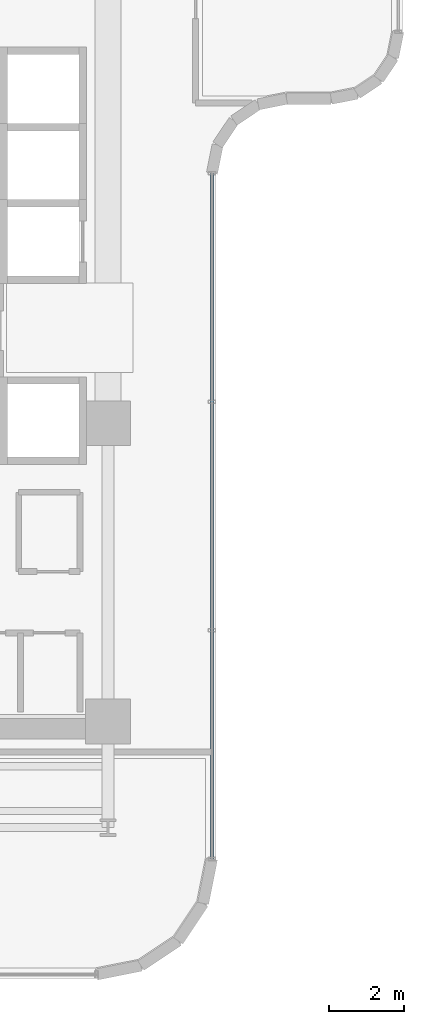
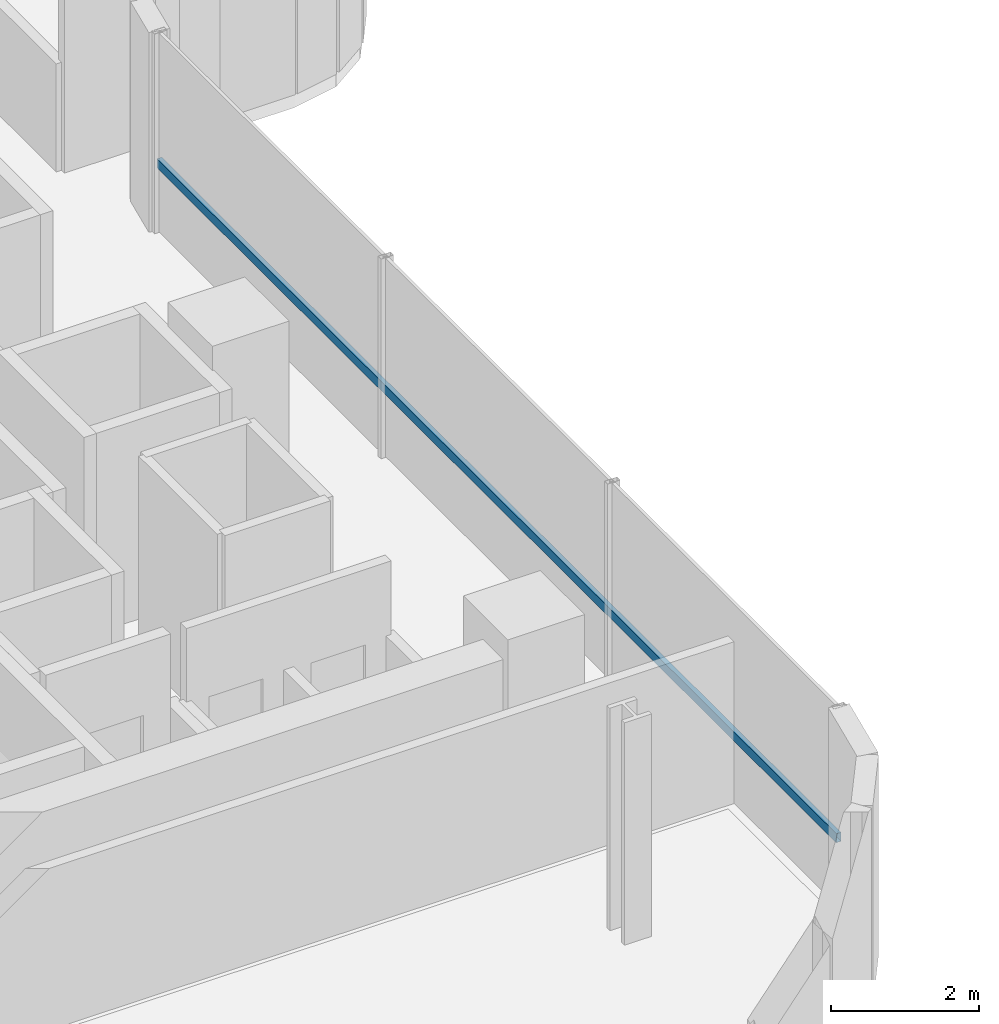
# One storey, part 6 of 35: 1 member, 1 element without a shape of its own.
"""IFC4 building model written with IfcOpenShell, lengths in metres."""

import ifcopenshell
import ifcopenshell.guid

model = None  # the IFC model being written
_history = None  # IfcOwnerHistory: only IFC2X3 demands one
_inside = {}  # id of a spatial element -> (the spatial element, [elements in it])
_under = {}  # id of a project, library or spatial element -> (it, [spatial elements below it])
_declared = {}  # id of a project -> (the project, [libraries it declares])
_typed = {}  # id of a type object -> (the type object, [elements of that type])
_made_of = {}  # id of a material, layer set ... -> (it, [elements and type objects made of it])


def new_model(schema):
    """Start an empty IFC model of exactly this schema.

    Asked for "IFC4X3", IfcOpenShell would pick the latest addendum, in which some entities
    have other attributes; the version numbers below select the first issue.
    IFC2X3 requires an IfcOwnerHistory on every rooted entity: one is made here for all.
    """
    global model, _history
    if schema == "IFC4X3":
        model = ifcopenshell.file(schema_version=(4, 3, 0, 0))
    else:
        model = ifcopenshell.file(schema=schema)
    _inside.clear()
    _under.clear()
    _declared.clear()
    _typed.clear()
    _made_of.clear()
    _history = None
    if model.schema == "IFC2X3":
        org = make("IfcOrganization", Name="unknown")
        user = make(
            "IfcPersonAndOrganization",
            ThePerson=make("IfcPerson", FamilyName="unknown"),
            TheOrganization=org,
        )
        app = make(
            "IfcApplication",
            ApplicationDeveloper=org,
            Version="unknown",
            ApplicationFullName="unknown",
            ApplicationIdentifier="unknown",
        )
        _history = make(
            "IfcOwnerHistory",
            OwningUser=user,
            OwningApplication=app,
            ChangeAction="ADDED",
            CreationDate=0,
        )
    return model


def make(cls, **values):
    """One entity of the class cls with the attributes given. An attribute that is None is left unset."""
    return model.create_entity(
        cls, **{name: value for name, value in values.items() if value is not None}
    )


def rooted(cls, **values):
    """An entity with a GlobalId (a new one), such as an element, a storey or a relation."""
    return make(cls, GlobalId=ifcopenshell.guid.new(), OwnerHistory=_history, **values)


def si_unit(unit_type, name, prefix=None):
    """IfcSIUnit, for example si_unit("LENGTHUNIT", "METRE", prefix="MILLI")."""
    return make("IfcSIUnit", UnitType=unit_type, Prefix=prefix, Name=name)


def assignment(units):
    """IfcUnitAssignment: the units of a project."""
    return None if units is None else make("IfcUnitAssignment", Units=units)


def point(xyz):
    """IfcCartesianPoint."""
    return None if xyz is None else make("IfcCartesianPoint", Coordinates=xyz)


def direction(xyz):
    """IfcDirection."""
    return None if xyz is None else make("IfcDirection", DirectionRatios=xyz)


def frame(location, z_axis=None, x_axis=None):
    """IfcAxis2Placement3D, a coordinate frame: its origin and axes. An axis left out is left unset."""
    return make(
        "IfcAxis2Placement3D",
        Location=point(location),
        Axis=direction(z_axis),
        RefDirection=direction(x_axis),
    )


def frame_2d(location, x_axis=None):
    """IfcAxis2Placement2D, a coordinate frame in the plane: its origin and x axis."""
    return make(
        "IfcAxis2Placement2D", Location=point(location), RefDirection=direction(x_axis)
    )


def origin():
    """The frame at (0, 0, 0) with its axes left unset."""
    return frame((0.0, 0.0, 0.0))


def origin_2d():
    """The frame at (0, 0) in the plane with its x axis left unset."""
    return frame_2d((0.0, 0.0))


def place(relative_to, where):
    """IfcLocalPlacement: puts the frame where relative to a parent placement (None: the world)."""
    return make(
        "IfcLocalPlacement", PlacementRelTo=relative_to, RelativePlacement=where
    )


def context(
    kind, dimensions, precision=None, world=None, true_north=None, identifier=None
):
    """IfcGeometricRepresentationContext, for example the 3D "Model" context."""
    return make(
        "IfcGeometricRepresentationContext",
        ContextIdentifier=identifier,
        ContextType=kind,
        CoordinateSpaceDimension=dimensions,
        Precision=precision,
        WorldCoordinateSystem=world,
        TrueNorth=true_north,
    )


def subcontext(parent, identifier, kind, view, scale=None):
    """IfcGeometricRepresentationSubContext, for example "Body" below "Model"."""
    return make(
        "IfcGeometricRepresentationSubContext",
        ContextIdentifier=identifier,
        ContextType=kind,
        ParentContext=parent,
        TargetScale=scale,
        TargetView=view,
    )


def project(units=None, contexts=None):
    """IfcProject with its units and contexts."""
    return rooted(
        "IfcProject",
        Name="project",
        RepresentationContexts=contexts,
        UnitsInContext=assignment(units),
    )


def spatial(cls, under=None, at=None, **own):
    """A site, building, storey or space (cls), placed at a placement, below another one or the project."""
    s = rooted(cls, ObjectPlacement=at, **own)
    if under is not None:
        _under.setdefault(under.id(), (under, []))[1].append(s)
    return s


def profile(cls, at=None, kind="AREA", **sizes):
    """A parametric profile (cls). Its sizes go by their IFC names, for example OverallWidth=200.0."""
    return make(cls, ProfileType=kind, Position=at, **sizes)


def hollow_rectangle(**sizes):
    """IfcRectangleHollowProfileDef."""
    return profile("IfcRectangleHollowProfileDef", **sizes)


def extrude(swept, where, along, depth):
    """IfcExtrudedAreaSolid: the profile swept, set in the frame where, extruded along a direction by depth."""
    return make(
        "IfcExtrudedAreaSolid",
        SweptArea=swept,
        Position=where,
        ExtrudedDirection=direction(along),
        Depth=depth,
    )


def shape(context_of_items, identifier, shape_type, items):
    """IfcShapeRepresentation: the items that make up one representation, for example the "Body"."""
    return make(
        "IfcShapeRepresentation",
        ContextOfItems=context_of_items,
        RepresentationIdentifier=identifier,
        RepresentationType=shape_type,
        Items=items,
    )


def source(mapping_origin, context_of_items, identifier, shape_type, items):
    """IfcRepresentationMap: a shape defined once, which mapped items show again and again."""
    return make(
        "IfcRepresentationMap",
        MappingOrigin=mapping_origin,
        MappedRepresentation=shape(context_of_items, identifier, shape_type, items),
    )


def transform(
    local_origin,
    x_axis=None,
    y_axis=None,
    z_axis=None,
    scale=None,
    scale2=None,
    scale3=None,
    uniform=True,
):
    """IfcCartesianTransformationOperator3D, or its non-uniform kind. x_axis, y_axis, z_axis: its Axis1, 2, 3."""
    if uniform:
        return make(
            "IfcCartesianTransformationOperator3D",
            Axis1=direction(x_axis),
            Axis2=direction(y_axis),
            LocalOrigin=point(local_origin),
            Scale=scale,
            Axis3=direction(z_axis),
        )
    return make(
        "IfcCartesianTransformationOperator3DnonUniform",
        Axis1=direction(x_axis),
        Axis2=direction(y_axis),
        LocalOrigin=point(local_origin),
        Scale=scale,
        Axis3=direction(z_axis),
        Scale2=scale2,
        Scale3=scale3,
    )


def mapped(mapping_source, mapping_target):
    """IfcMappedItem: shows the shape of a source again, moved by a transform."""
    return make(
        "IfcMappedItem", MappingSource=mapping_source, MappingTarget=mapping_target
    )


def material(Name=None, Category=None):
    """IfcMaterial."""
    return make("IfcMaterial", Name=Name, Category=Category)


def material_profile(
    of_material, cross_section, Name=None, Category=None, Priority=None
):
    """IfcMaterialProfile: a cross section and its material."""
    return make(
        "IfcMaterialProfile",
        Name=Name,
        Material=of_material,
        Profile=cross_section,
        Priority=Priority,
        Category=Category,
    )


def profile_set(profiles, Name=None, composite=None):
    """IfcMaterialProfileSet."""
    return make(
        "IfcMaterialProfileSet",
        Name=Name,
        MaterialProfiles=profiles,
        CompositeProfile=composite,
    )


def made_of(thing, what):
    """Note that an element or type object is made of a material, layer set ...; save() writes the relation."""
    if what is not None:
        _made_of.setdefault(what.id(), (what, []))[1].append(thing)
    return thing


def type_object(cls, material=None, **own):
    """A type object (cls), such as IfcWallType, which elements share."""
    return made_of(rooted(cls, **own), material)


def element(
    cls,
    number,
    at=None,
    inside=None,
    cuts=None,
    type_object=None,
    material=None,
    context=None,
    identifier="Body",
    shape_type=None,
    held_by="IfcProductDefinitionShape",
    body=None,
    shapes=None,
    **own,
):
    """One element of the class cls, such as IfcWall. Its Tag is "e" and its number.

    at: its placement. inside: the storey or other place that contains it. cuts: it is an
    opening in that element (IfcRelVoidsElement). A single representation is given by context,
    identifier, shape_type and body (its items); several are given by shapes. held_by: the class
    of the entity that holds the representations. save() writes the other relations.
    """
    e = rooted(cls, Tag="e%d" % number, ObjectPlacement=at, **own)
    if body is not None:
        shapes = [shape(context, identifier, shape_type, body)]
    if shapes is not None:
        e.Representation = make(held_by, Representations=shapes)
    if inside is not None:
        _inside.setdefault(inside.id(), (inside, []))[1].append(e)
    if cuts is not None:
        rooted(
            "IfcRelVoidsElement", RelatingBuildingElement=cuts, RelatedOpeningElement=e
        )
    if type_object is not None:
        _typed.setdefault(type_object.id(), (type_object, []))[1].append(e)
    return made_of(e, material)


def aggregate(whole, parts):
    """IfcRelAggregates: a whole, such as a stair, and the parts it consists of."""
    return rooted("IfcRelAggregates", RelatingObject=whole, RelatedObjects=parts)


def save(model, path):
    """Write the relations noted so far, then the file.

    IfcRelAggregates (storeys below a building ...), IfcRelContainedInSpatialStructure (elements
    in a storey), IfcRelDefinesByType, IfcRelAssociatesMaterial and IfcRelDeclares: one each for
    every whole, place, type object, material and project.
    """
    for whole, parts in _under.values():
        aggregate(whole, parts)
    for where, things in _inside.values():
        rooted(
            "IfcRelContainedInSpatialStructure",
            RelatedElements=things,
            RelatingStructure=where,
        )
    for kind, things in _typed.values():
        rooted("IfcRelDefinesByType", RelatedObjects=things, RelatingType=kind)
    for what, things in _made_of.values():
        rooted("IfcRelAssociatesMaterial", RelatedObjects=things, RelatingMaterial=what)
    for by, libraries in _declared.values():
        rooted("IfcRelDeclares", RelatingContext=by, RelatedDefinitions=libraries)
    model.write(path)


model = new_model("IFC4")

# Units and contexts
model_context = context("Model", 3, precision=1e-05, world=origin(), true_north=direction((0.0, 1.0)))
body_context = subcontext(model_context, "Body", "Model", "MODEL_VIEW")
ifc_project = project(units=[si_unit("LENGTHUNIT", "METRE"), si_unit("AREAUNIT", "SQUARE_METRE"), si_unit("VOLUMEUNIT", "CUBIC_METRE"), si_unit("PLANEANGLEUNIT", "RADIAN"), si_unit("MASSUNIT", "GRAM", prefix="KILO")], contexts=[model_context])

# Site, building, storey
site_placement = place(None, origin())
site = spatial("IfcSite", under=ifc_project, at=site_placement, CompositionType="ELEMENT")
building_placement = place(site_placement, origin())
building = spatial("IfcBuilding", under=site, at=building_placement, Name="Valdorenza Pilgrim Sanctuary Tower", CompositionType="ELEMENT")
storey_placement = place(building_placement, frame((0.0, 0.0, 168.60009765625)))
storey = spatial("IfcBuildingStorey", under=building, at=storey_placement, Name="L43", CompositionType="ELEMENT", Elevation=168.60009765625)

# Curtain wall, member
ifc_material_1 = material(Name="Curtain-wall IGU glazing", Category="glass")
curtain_wall_type = type_object("IfcCurtainWallType", Name="CW-SYS-02", PredefinedType="NOTDEFINED", material=ifc_material_1)
curtain_wall_placement = place(storey_placement, origin())
curtain_wall = element("IfcCurtainWall", 1, at=curtain_wall_placement, inside=storey, type_object=curtain_wall_type, Name="L43 Curtain Wall CW-L43-1-21", PredefinedType="NOTDEFINED")
ifc_material_2 = material(Name="Anodised aluminium AW-6060", Category="aluminium")
ifc_material_profile = material_profile(ifc_material_2, hollow_rectangle(XDim=0.074951171875, YDim=0.14990234375, WallThickness=0.00390625, at=origin_2d()), Name="ALU-T 150x75x4")
ifc_profile_set = profile_set([ifc_material_profile], Name="Anodised aluminium AW-6060")
member_type = type_object("IfcMemberType", Name="CW-TRN-02", PredefinedType="USERDEFINED", material=ifc_profile_set)
shared_shape = source(origin(), body_context, "Body", "SweptSolid", [
    extrude(hollow_rectangle(XDim=0.074951171875, YDim=0.14990234375, WallThickness=0.00390625, at=origin_2d()), origin(), (0.0, 0.0, 1.0), 18.400146484375),
])
member_placement = place(storey_placement, frame((-9.610107421875, 4.11083984375, 1.119873046875), z_axis=(0.0, -1.0, 0.0), x_axis=(1.0, 0.0, 0.0)))
member = element("IfcMember", 2, at=member_placement, type_object=member_type, Name="CW-L43-1-21 Transom 1", ObjectType="TRANSOM", PredefinedType="USERDEFINED", context=body_context, shape_type="MappedRepresentation", body=[
    mapped(shared_shape, transform((0.0, 0.0, 0.0), x_axis=(1.0, 0.0, 0.0), y_axis=(0.0, 1.0, 0.0), z_axis=(0.0, 0.0, 1.0), scale=1.0)),
])
aggregate(curtain_wall, [member])

save(model, "model.ifc")
